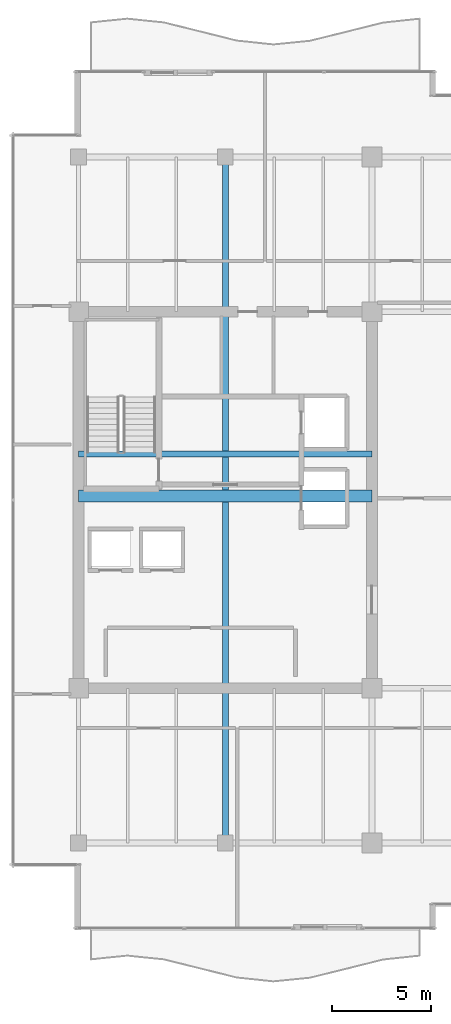
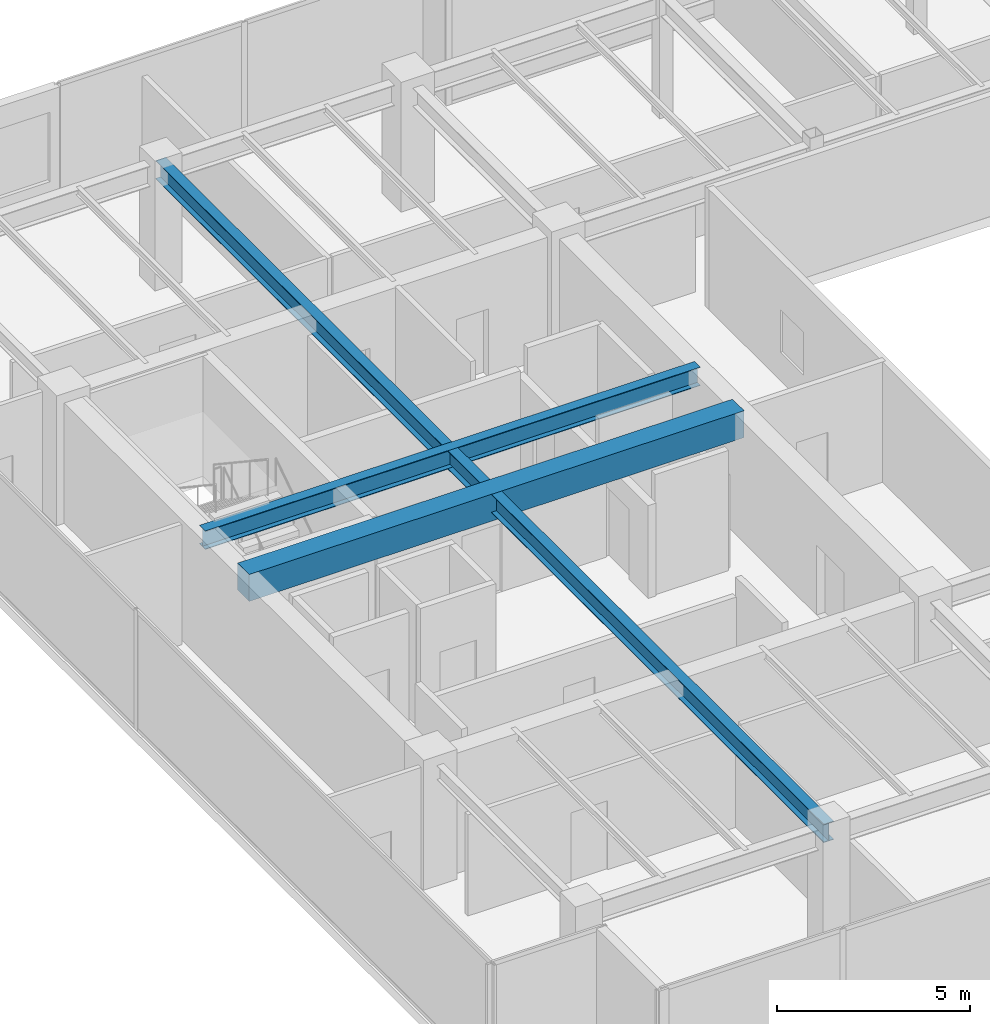
# One storey, part 9 of 34: 3 beams.
"""IFC4 building model written with IfcOpenShell, lengths in metres."""

from ifc_helpers import new_model, si_unit, direction, frame, origin, origin_2d, place, context, subcontext, project, spatial, rectangle, i_section, extrude, source, transform, mapped, material, material_profile, profile_set, type_object, type_shapes, element, save


model = new_model("IFC4")

# Units and contexts
model_context = context("Model", 3, precision=1e-05, world=origin(), true_north=direction((0.0, 1.0)))
body_context = subcontext(model_context, "Body", "Model", "MODEL_VIEW")
ifc_project = project(units=[si_unit("LENGTHUNIT", "METRE"), si_unit("AREAUNIT", "SQUARE_METRE"), si_unit("VOLUMEUNIT", "CUBIC_METRE"), si_unit("PLANEANGLEUNIT", "RADIAN"), si_unit("MASSUNIT", "GRAM", prefix="KILO")], contexts=[model_context])

# Site, building, storey
site_placement = place(None, origin())
site = spatial("IfcSite", under=ifc_project, at=site_placement, CompositionType="ELEMENT")
building_placement = place(site_placement, origin())
building = spatial("IfcBuilding", under=site, at=building_placement, Name="Haelvirn Gate Laboratories", CompositionType="ELEMENT")
storey_placement = place(building_placement, frame((0.0, 0.0, 246.5)))
storey = spatial("IfcBuildingStorey", under=building, at=storey_placement, Name="L59", CompositionType="ELEMENT", Elevation=246.5)

# Beams
ifc_material_1 = material(Name="Steel SM355", Category="steel")
ifc_material_profile_1 = material_profile(ifc_material_1, i_section(OverallWidth=0.300048828125, OverallDepth=0.587890625, WebThickness=0.011962890625, FlangeThickness=0.02001953125, at=origin_2d()), Name="H-588x300x12x20")
ifc_profile_set_1 = profile_set([ifc_material_profile_1], Name="Steel SM355")
beam_type_1 = type_object("IfcBeamType", Name="BM-G-588", PredefinedType="BEAM", material=ifc_profile_set_1)
shared_shape_1 = source(origin(), body_context, "Body", "SweptSolid", [
    extrude(i_section(OverallWidth=0.300048828125, OverallDepth=0.587890625, WebThickness=0.011962890625, FlangeThickness=0.02001953125, at=origin_2d()), origin(), (0.0, 0.0, 1.0), 14.800048828125),
])
beam_1_placement = place(storey_placement, frame((7.39990234375, 26.6201171875, 3.506103515625), z_axis=(1.0, 0.0, 0.0), x_axis=(0.0, 1.0, 0.0)))
element("IfcBeam", 1, at=beam_1_placement, inside=storey, type_object=beam_type_1, Name="L59 Stair ST1 Landing Header", PredefinedType="BEAM", context=body_context, shape_type="MappedRepresentation", body=[
    mapped(shared_shape_1, transform((0.0, 0.0, 0.0), scale=1.0)),
])
shared_shape_2 = source(origin(), body_context, "Body", "SweptSolid", [
    extrude(i_section(OverallWidth=0.300048828125, OverallDepth=0.587890625, WebThickness=0.011962890625, FlangeThickness=0.02001953125, at=origin_2d()), origin(), (0.0, 0.0, 1.0), 34.60009765625),
])
type_shapes(beam_type_1, [shared_shape_1, shared_shape_2])
beam_2_placement = place(storey_placement, frame((14.800048828125, 7.0, 3.506103515625), z_axis=(0.0, 1.0, 0.0), x_axis=(-1.0, 0.0, 0.0)))
element("IfcBeam", 2, at=beam_2_placement, inside=storey, type_object=beam_type_1, Name="L59 Frame Girder X14.8 (7.0-41.6)", PredefinedType="BEAM", context=body_context, shape_type="MappedRepresentation", body=[
    mapped(shared_shape_2, transform((0.0, 0.0, 0.0), scale=1.0)),
])
ifc_material_2 = material(Name="Concrete C50/60", Category="concrete")
ifc_material_profile_2 = material_profile(ifc_material_2, rectangle(XDim=0.60009765625, YDim=0.85009765625, at=origin_2d()), Name="RCB-600x850")
ifc_profile_set_2 = profile_set([ifc_material_profile_2], Name="Concrete C50/60")
beam_type_2 = type_object("IfcBeamType", Name="BM-RCB-850", PredefinedType="LINTEL", material=ifc_profile_set_2)
shared_shape_3 = source(origin(), body_context, "Body", "SweptSolid", [
    extrude(rectangle(XDim=0.60009765625, YDim=0.85009765625, at=origin_2d()), origin(), (0.0, 0.0, 1.0), 14.800048828125),
])
type_shapes(beam_type_2, [shared_shape_3])
beam_3_placement = place(storey_placement, frame((7.39990234375, 24.5, 3.375), z_axis=(1.0, 0.0, 0.0), x_axis=(0.0, 1.0, 0.0)))
element("IfcBeam", 3, at=beam_3_placement, inside=storey, type_object=beam_type_2, Name="L59 West Core Coupling Beam", PredefinedType="LINTEL", context=body_context, shape_type="MappedRepresentation", body=[
    mapped(shared_shape_3, transform((0.0, 0.0, 0.0), scale=1.0)),
])

save(model, "model.ifc")
